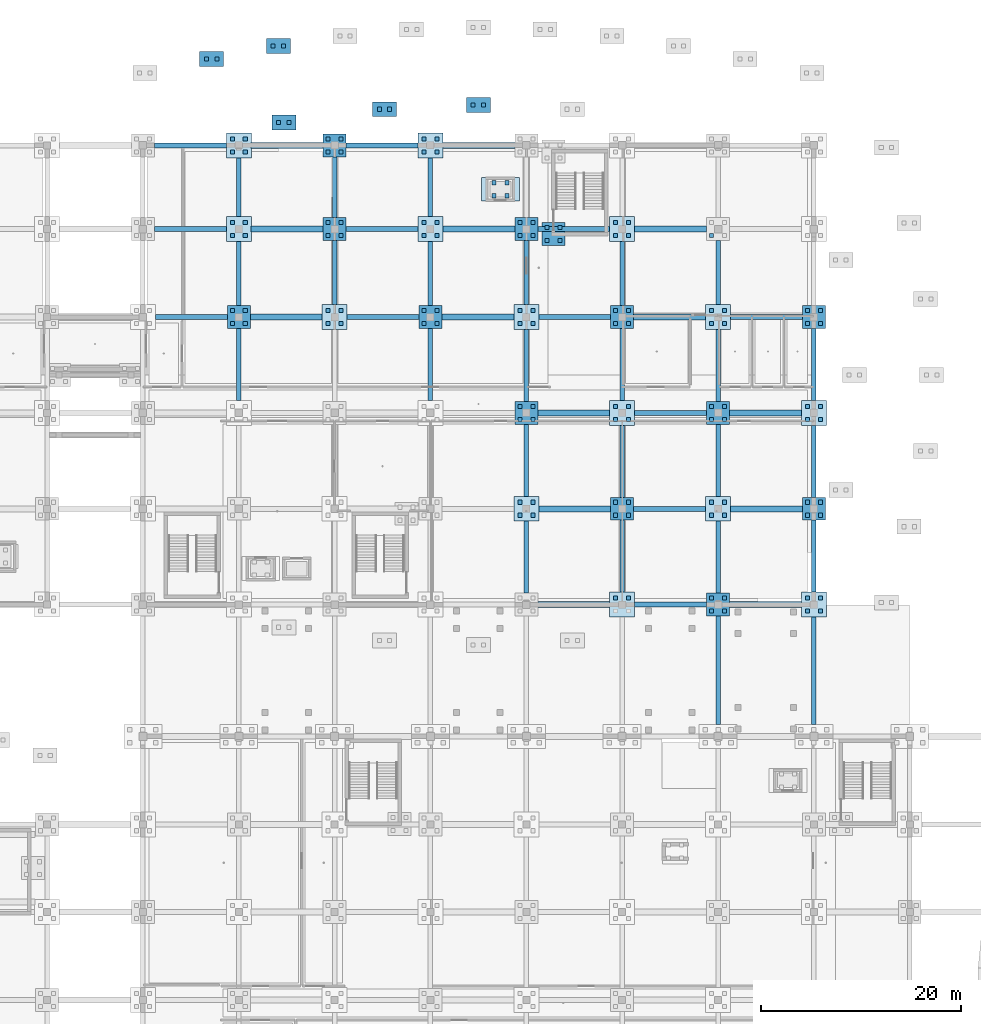
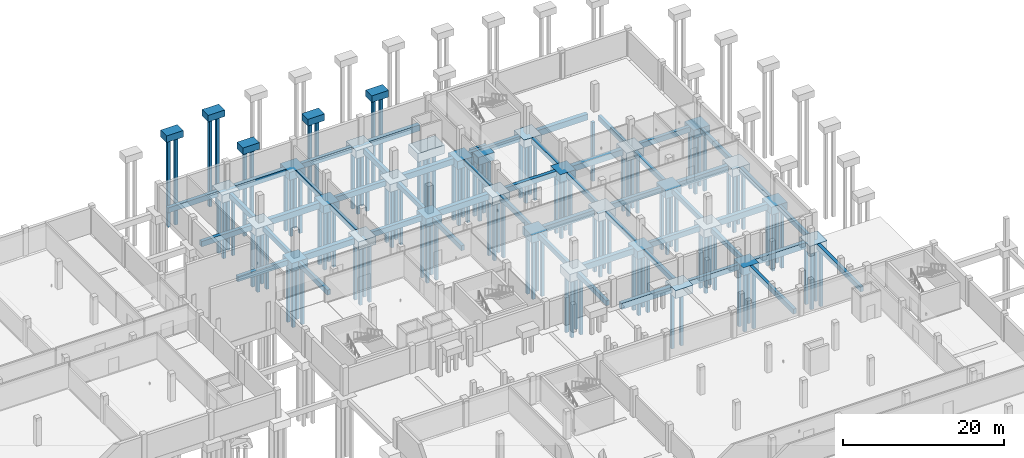
# One storey, part 7 of 31: 121 piles, 84 footings.
"""IFC4 building model written with IfcOpenShell, lengths in metres."""

from ifc_helpers import new_model, si_unit, direction, frame, origin, origin_2d, place, context, subcontext, project, spatial, rectangle, extrude, material, layer, layer_set, material_profile, profile_set, type_object, element, save


model = new_model("IFC4")

# Units and contexts
model_context = context("Model", 3, precision=1e-05, world=origin(), true_north=direction((0.0, 1.0)))
body_context = subcontext(model_context, "Body", "Model", "MODEL_VIEW")
ifc_project = project(units=[si_unit("LENGTHUNIT", "METRE"), si_unit("AREAUNIT", "SQUARE_METRE"), si_unit("VOLUMEUNIT", "CUBIC_METRE"), si_unit("PLANEANGLEUNIT", "RADIAN"), si_unit("MASSUNIT", "GRAM", prefix="KILO")], contexts=[model_context])

# Site, building, storey
site_placement = place(None, origin())
site = spatial("IfcSite", under=ifc_project, at=site_placement, CompositionType="ELEMENT")
building_placement = place(site_placement, origin())
building = spatial("IfcBuilding", under=site, at=building_placement, Name="Chalmorin Arch Market", CompositionType="ELEMENT")
storey_placement = place(building_placement, frame((0.0, 0.0, -4.199951171875)))
storey = spatial("IfcBuildingStorey", under=building, at=storey_placement, Name="B1", CompositionType="ELEMENT", Elevation=-4.199951171875)

# Piles
ifc_material_1 = material(Name="Precast concrete C50/60", Category="concrete")
ifc_material_profile = material_profile(ifc_material_1, rectangle(XDim=0.406005859375, YDim=0.406005859375, at=origin_2d()), Name="PPC406")
ifc_profile_set = profile_set([ifc_material_profile], Name="Precast concrete C50/60")
pile_type = type_object("IfcPileType", Name="DrivenSquarePile-406", PredefinedType="DRIVEN", material=ifc_profile_set)
for number, where, z_axis, x_axis, name in (
    (1, (56.949951171875, 100.14990234375, -1.10009765625), (0.0, 0.0, -1.0), (1.0, 0.0, 0.0), "P-406-341"),
    (2, (58.25, 100.14990234375, -1.10009765625), (0.0, 0.0, -1.0), (1.0, 0.0, 0.0), "P-406-342"),
    (3, (56.949951171875, 101.449951171875, -1.10009765625), (0.0, 0.0, -1.0), (1.0, 0.0, 0.0), "P-406-343"),
    (4, (58.25, 101.449951171875, -1.10009765625), (0.0, 0.0, -1.0), (1.0, 0.0, 0.0), "P-406-344"),
    (5, (56.949951171875, 108.949951171875, -1.10009765625), (0.0, 0.0, -1.0), (1.0, 0.0, 0.0), "P-406-345"),
    (6, (58.25, 108.949951171875, -1.10009765625), (0.0, 0.0, -1.0), (1.0, 0.0, 0.0), "P-406-346"),
    (7, (56.949951171875, 110.25, -1.10009765625), (0.0, 0.0, -1.0), (1.0, 0.0, 0.0), "P-406-347"),
    (8, (58.25, 110.25, -1.10009765625), (0.0, 0.0, -1.0), (1.0, 0.0, 0.0), "P-406-348"),
    (9, (56.949951171875, 117.35009765625, -1.10009765625), (0.0, 0.0, -1.0), (1.0, 0.0, 0.0), "P-406-349"),
    (10, (58.25, 117.35009765625, -1.10009765625), (0.0, 0.0, -1.0), (1.0, 0.0, 0.0), "P-406-350"),
    (11, (56.949951171875, 118.64990234375, -1.10009765625), (0.0, 0.0, -1.0), (1.0, 0.0, 0.0), "P-406-351"),
    (12, (58.25, 118.64990234375, -1.10009765625), (0.0, 0.0, -1.0), (1.0, 0.0, 0.0), "P-406-352"),
    (13, (66.550048828125, 100.14990234375, -1.10009765625), (0.0, 0.0, -1.0), (1.0, 0.0, 0.0), "P-406-397"),
    (14, (67.85009765625, 100.14990234375, -1.10009765625), (0.0, 0.0, -1.0), (1.0, 0.0, 0.0), "P-406-398"),
    (15, (66.550048828125, 101.449951171875, -1.10009765625), (0.0, 0.0, -1.0), (1.0, 0.0, 0.0), "P-406-399"),
    (16, (67.85009765625, 101.449951171875, -1.10009765625), (0.0, 0.0, -1.0), (1.0, 0.0, 0.0), "P-406-400"),
    (17, (66.550048828125, 108.949951171875, -1.10009765625), (0.0, 0.0, -1.0), (1.0, 0.0, 0.0), "P-406-401"),
    (18, (67.85009765625, 108.949951171875, -1.10009765625), (0.0, 0.0, -1.0), (1.0, 0.0, 0.0), "P-406-402"),
    (19, (66.550048828125, 110.25, -1.10009765625), (0.0, 0.0, -1.0), (1.0, 0.0, 0.0), "P-406-403"),
    (20, (67.85009765625, 110.25, -1.10009765625), (0.0, 0.0, -1.0), (1.0, 0.0, 0.0), "P-406-404"),
    (21, (66.550048828125, 117.35009765625, -1.10009765625), (0.0, 0.0, -1.0), (1.0, 0.0, 0.0), "P-406-405"),
    (22, (67.85009765625, 117.35009765625, -1.10009765625), (0.0, 0.0, -1.0), (1.0, 0.0, 0.0), "P-406-406"),
    (23, (66.550048828125, 118.64990234375, -1.10009765625), (0.0, 0.0, -1.0), (1.0, 0.0, 0.0), "P-406-407"),
    (24, (67.85009765625, 118.64990234375, -1.10009765625), (0.0, 0.0, -1.0), (1.0, 0.0, 0.0), "P-406-408"),
    (25, (76.14990234375, 100.14990234375, -1.10009765625), (0.0, 0.0, -1.0), (1.0, 0.0, 0.0), "P-406-453"),
    (26, (77.449951171875, 100.14990234375, -1.10009765625), (0.0, 0.0, -1.0), (1.0, 0.0, 0.0), "P-406-454"),
    (27, (76.14990234375, 101.449951171875, -1.10009765625), (0.0, 0.0, -1.0), (1.0, 0.0, 0.0), "P-406-455"),
    (28, (77.449951171875, 101.449951171875, -1.10009765625), (0.0, 0.0, -1.0), (1.0, 0.0, 0.0), "P-406-456"),
    (29, (76.14990234375, 108.949951171875, -1.10009765625), (0.0, 0.0, -1.0), (1.0, 0.0, 0.0), "P-406-457"),
    (30, (77.449951171875, 108.949951171875, -1.10009765625), (0.0, 0.0, -1.0), (1.0, 0.0, 0.0), "P-406-458"),
    (31, (76.14990234375, 110.25, -1.10009765625), (0.0, 0.0, -1.0), (1.0, 0.0, 0.0), "P-406-459"),
    (32, (77.449951171875, 110.25, -1.10009765625), (0.0, 0.0, -1.0), (1.0, 0.0, 0.0), "P-406-460"),
    (33, (76.14990234375, 117.35009765625, -1.10009765625), (0.0, 0.0, -1.0), (1.0, 0.0, 0.0), "P-406-461"),
    (34, (77.449951171875, 117.35009765625, -1.10009765625), (0.0, 0.0, -1.0), (1.0, 0.0, 0.0), "P-406-462"),
    (35, (76.14990234375, 118.64990234375, -1.10009765625), (0.0, 0.0, -1.0), (1.0, 0.0, 0.0), "P-406-463"),
    (36, (77.449951171875, 118.64990234375, -1.10009765625), (0.0, 0.0, -1.0), (1.0, 0.0, 0.0), "P-406-464"),
    (37, (85.75, 80.949951171875, -1.10009765625), (0.0, 0.0, -1.0), (1.0, 0.0, 0.0), "P-406-501"),
    (38, (87.050048828125, 80.949951171875, -1.10009765625), (0.0, 0.0, -1.0), (1.0, 0.0, 0.0), "P-406-502"),
    (39, (85.75, 82.25, -1.10009765625), (0.0, 0.0, -1.0), (1.0, 0.0, 0.0), "P-406-503"),
    (40, (87.050048828125, 82.25, -1.10009765625), (0.0, 0.0, -1.0), (1.0, 0.0, 0.0), "P-406-504"),
    (41, (85.75, 90.550048828125, -1.10009765625), (0.0, 0.0, -1.0), (1.0, 0.0, 0.0), "P-406-505"),
    (42, (87.050048828125, 90.550048828125, -1.10009765625), (0.0, 0.0, -1.0), (1.0, 0.0, 0.0), "P-406-506"),
    (43, (85.75, 91.85009765625, -1.10009765625), (0.0, 0.0, -1.0), (1.0, 0.0, 0.0), "P-406-507"),
    (44, (87.050048828125, 91.85009765625, -1.10009765625), (0.0, 0.0, -1.0), (1.0, 0.0, 0.0), "P-406-508"),
    (45, (85.75, 100.14990234375, -1.10009765625), (0.0, 0.0, -1.0), (1.0, 0.0, 0.0), "P-406-509"),
    (46, (87.050048828125, 100.14990234375, -1.10009765625), (0.0, 0.0, -1.0), (1.0, 0.0, 0.0), "P-406-510"),
    (47, (85.75, 101.449951171875, -1.10009765625), (0.0, 0.0, -1.0), (1.0, 0.0, 0.0), "P-406-511"),
    (48, (87.050048828125, 101.449951171875, -1.10009765625), (0.0, 0.0, -1.0), (1.0, 0.0, 0.0), "P-406-512"),
    (49, (85.75, 108.949951171875, -1.10009765625), (0.0, 0.0, -1.0), (1.0, 0.0, 0.0), "P-406-513"),
    (50, (87.050048828125, 108.949951171875, -1.10009765625), (0.0, 0.0, -1.0), (1.0, 0.0, 0.0), "P-406-514"),
    (51, (85.75, 110.25, -1.10009765625), (0.0, 0.0, -1.0), (1.0, 0.0, 0.0), "P-406-515"),
    (52, (87.050048828125, 110.25, -1.10009765625), (0.0, 0.0, -1.0), (1.0, 0.0, 0.0), "P-406-516"),
    (53, (95.35009765625, 72.64990234375, -1.10009765625), (0.0, 0.0, -1.0), (1.0, 0.0, 0.0), "P-406-555"),
    (54, (96.64990234375, 72.64990234375, -1.10009765625), (0.0, 0.0, -1.0), (1.0, 0.0, 0.0), "P-406-556"),
    (55, (95.35009765625, 80.949951171875, -1.10009765625), (0.0, 0.0, -1.0), (1.0, 0.0, 0.0), "P-406-557"),
    (56, (96.64990234375, 80.949951171875, -1.10009765625), (0.0, 0.0, -1.0), (1.0, 0.0, 0.0), "P-406-558"),
    (57, (95.35009765625, 82.25, -1.10009765625), (0.0, 0.0, -1.0), (1.0, 0.0, 0.0), "P-406-559"),
    (58, (96.64990234375, 82.25, -1.10009765625), (0.0, 0.0, -1.0), (1.0, 0.0, 0.0), "P-406-560"),
    (59, (95.35009765625, 90.550048828125, -1.10009765625), (0.0, 0.0, -1.0), (1.0, 0.0, 0.0), "P-406-561"),
    (60, (96.64990234375, 90.550048828125, -1.10009765625), (0.0, 0.0, -1.0), (1.0, 0.0, 0.0), "P-406-562"),
    (61, (95.35009765625, 91.85009765625, -1.10009765625), (0.0, 0.0, -1.0), (1.0, 0.0, 0.0), "P-406-563"),
    (62, (96.64990234375, 91.85009765625, -1.10009765625), (0.0, 0.0, -1.0), (1.0, 0.0, 0.0), "P-406-564"),
    (63, (95.35009765625, 100.14990234375, -1.10009765625), (0.0, 0.0, -1.0), (1.0, 0.0, 0.0), "P-406-565"),
    (64, (96.64990234375, 100.14990234375, -1.10009765625), (0.0, 0.0, -1.0), (1.0, 0.0, 0.0), "P-406-566"),
    (65, (95.35009765625, 101.449951171875, -1.10009765625), (0.0, 0.0, -1.0), (1.0, 0.0, 0.0), "P-406-567"),
    (66, (96.64990234375, 101.449951171875, -1.10009765625), (0.0, 0.0, -1.0), (1.0, 0.0, 0.0), "P-406-568"),
    (67, (95.35009765625, 108.949951171875, -1.10009765625), (0.0, 0.0, -1.0), (1.0, 0.0, 0.0), "P-406-569"),
    (68, (96.64990234375, 108.949951171875, -1.10009765625), (0.0, 0.0, -1.0), (1.0, 0.0, 0.0), "P-406-570"),
    (69, (95.35009765625, 110.25, -1.10009765625), (0.0, 0.0, -1.0), (1.0, 0.0, 0.0), "P-406-571"),
    (70, (96.64990234375, 110.25, -1.10009765625), (0.0, 0.0, -1.0), (1.0, 0.0, 0.0), "P-406-572"),
    (71, (104.949951171875, 71.35009765625, -1.10009765625), (0.0, 0.0, -1.0), (1.0, 0.0, 0.0), "P-406-609"),
    (72, (106.25, 71.35009765625, -1.10009765625), (0.0, 0.0, -1.0), (1.0, 0.0, 0.0), "P-406-610"),
    (73, (104.949951171875, 72.64990234375, -1.10009765625), (0.0, 0.0, -1.0), (1.0, 0.0, 0.0), "P-406-611"),
    (74, (106.25, 72.64990234375, -1.10009765625), (0.0, 0.0, -1.0), (1.0, 0.0, 0.0), "P-406-612"),
    (75, (104.949951171875, 80.949951171875, -1.10009765625), (0.0, 0.0, -1.0), (1.0, 0.0, 0.0), "P-406-613"),
    (76, (106.25, 80.949951171875, -1.10009765625), (0.0, 0.0, -1.0), (1.0, 0.0, 0.0), "P-406-614"),
    (77, (104.949951171875, 82.25, -1.10009765625), (0.0, 0.0, -1.0), (1.0, 0.0, 0.0), "P-406-615"),
    (78, (106.25, 82.25, -1.10009765625), (0.0, 0.0, -1.0), (1.0, 0.0, 0.0), "P-406-616"),
    (79, (104.949951171875, 90.550048828125, -1.10009765625), (0.0, 0.0, -1.0), (1.0, 0.0, 0.0), "P-406-617"),
    (80, (106.25, 90.550048828125, -1.10009765625), (0.0, 0.0, -1.0), (1.0, 0.0, 0.0), "P-406-618"),
    (81, (104.949951171875, 91.85009765625, -1.10009765625), (0.0, 0.0, -1.0), (1.0, 0.0, 0.0), "P-406-619"),
    (82, (106.25, 91.85009765625, -1.10009765625), (0.0, 0.0, -1.0), (1.0, 0.0, 0.0), "P-406-620"),
    (83, (104.949951171875, 100.14990234375, -1.10009765625), (0.0, 0.0, -1.0), (1.0, 0.0, 0.0), "P-406-621"),
    (84, (106.25, 100.14990234375, -1.10009765625), (0.0, 0.0, -1.0), (1.0, 0.0, 0.0), "P-406-622"),
    (85, (104.949951171875, 101.449951171875, -1.10009765625), (0.0, 0.0, -1.0), (1.0, 0.0, 0.0), "P-406-623"),
    (86, (106.25, 101.449951171875, -1.10009765625), (0.0, 0.0, -1.0), (1.0, 0.0, 0.0), "P-406-624"),
    (87, (104.949951171875, 108.949951171875, -1.10009765625), (0.0, 0.0, -1.0), (1.0, 0.0, 0.0), "P-406-625"),
    (88, (114.550048828125, 71.35009765625, -1.10009765625), (0.0, 0.0, -1.0), (1.0, 0.0, 0.0), "P-406-665"),
    (89, (115.85009765625, 71.35009765625, -1.10009765625), (0.0, 0.0, -1.0), (1.0, 0.0, 0.0), "P-406-666"),
    (90, (114.550048828125, 72.64990234375, -1.10009765625), (0.0, 0.0, -1.0), (1.0, 0.0, 0.0), "P-406-667"),
    (91, (115.85009765625, 72.64990234375, -1.10009765625), (0.0, 0.0, -1.0), (1.0, 0.0, 0.0), "P-406-668"),
    (92, (114.550048828125, 80.949951171875, -1.10009765625), (0.0, 0.0, -1.0), (1.0, 0.0, 0.0), "P-406-669"),
    (93, (115.85009765625, 80.949951171875, -1.10009765625), (0.0, 0.0, -1.0), (1.0, 0.0, 0.0), "P-406-670"),
    (94, (114.550048828125, 82.25, -1.10009765625), (0.0, 0.0, -1.0), (1.0, 0.0, 0.0), "P-406-671"),
    (95, (115.85009765625, 82.25, -1.10009765625), (0.0, 0.0, -1.0), (1.0, 0.0, 0.0), "P-406-672"),
    (96, (114.550048828125, 90.550048828125, -1.10009765625), (0.0, 0.0, -1.0), (1.0, 0.0, 0.0), "P-406-673"),
    (97, (115.85009765625, 90.550048828125, -1.10009765625), (0.0, 0.0, -1.0), (1.0, 0.0, 0.0), "P-406-674"),
    (98, (114.550048828125, 91.85009765625, -1.10009765625), (0.0, 0.0, -1.0), (1.0, 0.0, 0.0), "P-406-675"),
    (99, (115.85009765625, 91.85009765625, -1.10009765625), (0.0, 0.0, -1.0), (1.0, 0.0, 0.0), "P-406-676"),
    (100, (114.550048828125, 100.14990234375, -1.10009765625), (0.0, 0.0, -1.0), (1.0, 0.0, 0.0), "P-406-677"),
    (101, (115.85009765625, 100.14990234375, -1.10009765625), (0.0, 0.0, -1.0), (1.0, 0.0, 0.0), "P-406-678"),
    (102, (114.550048828125, 101.449951171875, -1.10009765625), (0.0, 0.0, -1.0), (1.0, 0.0, 0.0), "P-406-679"),
    (103, (115.85009765625, 101.449951171875, -1.10009765625), (0.0, 0.0, -1.0), (1.0, 0.0, 0.0), "P-406-680"),
):
    element("IfcPile", number, at=place(storey_placement, frame(where, z_axis=z_axis, x_axis=x_axis)), inside=storey, type_object=pile_type, Name=name, PredefinedType="DRIVEN", context=body_context, shape_type="SweptSolid", body=[
        extrude(rectangle(XDim=0.406005859375, YDim=0.406005859375, at=origin_2d()), origin(), (0.0, 0.0, 1.0), 8.89990234375),
    ])
for number, where, z_axis, x_axis, name in (
    (104, (61.592041015625, 120.26904296875, 2.97998046875), (0.0, 0.0, -1.0), (1.0, 0.0, 0.0), "P-406-803"),
    (105, (62.632080078125, 120.26904296875, 2.97998046875), (0.0, 0.0, -1.0), (1.0, 0.0, 0.0), "P-406-804"),
    (106, (71.672119140625, 121.612060546875, 2.97998046875), (0.0, 0.0, -1.0), (1.0, 0.0, 0.0), "P-406-807"),
    (107, (72.7119140625, 121.612060546875, 2.97998046875), (0.0, 0.0, -1.0), (1.0, 0.0, 0.0), "P-406-808"),
    (108, (81.080078125, 122.050048828125, 2.97998046875), (0.0, 0.0, -1.0), (1.0, 0.0, 0.0), "P-406-811"),
    (109, (82.1201171875, 122.050048828125, 2.97998046875), (0.0, 0.0, -1.0), (1.0, 0.0, 0.0), "P-406-812"),
):
    element("IfcPile", number, at=place(storey_placement, frame(where, z_axis=z_axis, x_axis=x_axis)), inside=storey, type_object=pile_type, Name=name, PredefinedType="DRIVEN", context=body_context, shape_type="SweptSolid", body=[
        extrude(rectangle(XDim=0.406005859375, YDim=0.406005859375, at=origin_2d()), origin(), (0.0, 0.0, 1.0), 12.97998046875),
    ])
for number, where, z_axis, x_axis, name in (
    (110, (54.360107421875, 126.654052734375, 3.47998046875), (0.0, 0.0, -1.0), (1.0, 0.0, 0.0), "P-406-845"),
    (111, (55.39990234375, 126.654052734375, 3.47998046875), (0.0, 0.0, -1.0), (1.0, 0.0, 0.0), "P-406-846"),
    (112, (61.0400390625, 127.925048828125, 3.47998046875), (0.0, 0.0, -1.0), (1.0, 0.0, 0.0), "P-406-847"),
    (113, (62.080078125, 127.925048828125, 3.47998046875), (0.0, 0.0, -1.0), (1.0, 0.0, 0.0), "P-406-848"),
):
    element("IfcPile", number, at=place(storey_placement, frame(where, z_axis=z_axis, x_axis=x_axis)), inside=storey, type_object=pile_type, Name=name, PredefinedType="DRIVEN", context=body_context, shape_type="SweptSolid", body=[
        extrude(rectangle(XDim=0.406005859375, YDim=0.406005859375, at=origin_2d()), origin(), (0.0, 0.0, 1.0), 13.47998046875),
    ])
for number, where, z_axis, x_axis, name in (
    (114, (88.449951171875, 108.449951171875, -1.10009765625), (0.0, 0.0, -1.0), (1.0, 0.0, 0.0), "P-406-941"),
    (115, (89.75, 108.449951171875, -1.10009765625), (0.0, 0.0, -1.0), (1.0, 0.0, 0.0), "P-406-942"),
    (116, (88.449951171875, 109.75, -1.10009765625), (0.0, 0.0, -1.0), (1.0, 0.0, 0.0), "P-406-943"),
    (117, (89.75, 109.75, -1.10009765625), (0.0, 0.0, -1.0), (1.0, 0.0, 0.0), "P-406-944"),
):
    element("IfcPile", number, at=place(storey_placement, frame(where, z_axis=z_axis, x_axis=x_axis)), inside=storey, type_object=pile_type, Name=name, PredefinedType="DRIVEN", context=body_context, shape_type="SweptSolid", body=[
        extrude(rectangle(XDim=0.406005859375, YDim=0.406005859375, at=origin_2d()), origin(), (0.0, 0.0, 1.0), 8.89990234375),
    ])
for number, where, z_axis, x_axis, name in (
    (118, (83.14990234375, 112.949951171875, -1.199951171875), (0.0, 0.0, -1.0), (1.0, 0.0, 0.0), "P-406-977"),
    (119, (84.449951171875, 112.949951171875, -1.199951171875), (0.0, 0.0, -1.0), (1.0, 0.0, 0.0), "P-406-978"),
    (120, (83.14990234375, 114.25, -1.199951171875), (0.0, 0.0, -1.0), (1.0, 0.0, 0.0), "P-406-979"),
    (121, (84.449951171875, 114.25, -1.199951171875), (0.0, 0.0, -1.0), (1.0, 0.0, 0.0), "P-406-980"),
):
    element("IfcPile", number, at=place(storey_placement, frame(where, z_axis=z_axis, x_axis=x_axis)), inside=storey, type_object=pile_type, Name=name, PredefinedType="DRIVEN", context=body_context, shape_type="SweptSolid", body=[
        extrude(rectangle(XDim=0.406005859375, YDim=0.406005859375, at=origin_2d()), origin(), (0.0, 0.0, 1.0), 8.800048828125),
    ])

# Footings
ifc_material_2 = material(Name="Concrete C40/50", Category="concrete")
ifc_layer_1 = layer(ifc_material_2, 0.75)
ifc_layer_set_1 = layer_set([ifc_layer_1], Name="Concrete C40/50")
footing_type_1 = type_object("IfcFootingType", Name="FoundationTieBeam-450x750-L10750", PredefinedType="FOOTING_BEAM", material=ifc_layer_set_1)
footing_1_placement = place(storey_placement, frame((115.199951171875, 65.375, -0.75), z_axis=(0.0, 0.0, 1.0), x_axis=(0.0, 1.0, 0.0)))
element("IfcFooting", 122, at=footing_1_placement, inside=storey, type_object=footing_type_1, Name="FTB-03-331", PredefinedType="FOOTING_BEAM", context=body_context, shape_type="SweptSolid", body=[
    extrude(rectangle(XDim=10.75, YDim=0.449951171875, at=origin_2d()), origin(), (0.0, 0.0, 1.0), 0.75),
])
ifc_layer_2 = layer(ifc_material_2, 0.75)
ifc_layer_set_2 = layer_set([ifc_layer_2], Name="Concrete C40/50")
footing_type_2 = type_object("IfcFootingType", Name="FoundationTieBeam-450x750-L10850", PredefinedType="FOOTING_BEAM", material=ifc_layer_set_2)
footing_2_placement = place(storey_placement, frame((105.60009765625, 65.425048828125, -0.75), z_axis=(0.0, 0.0, 1.0), x_axis=(0.0, 1.0, 0.0)))
element("IfcFooting", 123, at=footing_2_placement, inside=storey, type_object=footing_type_2, Name="FTB-03-318", PredefinedType="FOOTING_BEAM", context=body_context, shape_type="SweptSolid", body=[
    extrude(rectangle(XDim=10.85009765625, YDim=0.449951171875, at=origin_2d()), origin(), (0.0, 0.0, 1.0), 0.75),
])
ifc_layer_3 = layer(ifc_material_2, 0.75)
ifc_layer_set_3 = layer_set([ifc_layer_3], Name="Concrete C40/50")
footing_type_3 = type_object("IfcFootingType", Name="FoundationTieBeam-450x750-L5900", PredefinedType="FOOTING_BEAM", material=ifc_layer_set_3)
for number, where, z_axis, x_axis, name in (
    (124, (57.60009765625, 113.800048828125, -0.75), (0.0, 0.0, 1.0), (0.0, 1.0, 0.0), "FTB-03-258"),
    (125, (76.800048828125, 113.800048828125, -0.75), (0.0, 0.0, 1.0), (0.0, 1.0, 0.0), "FTB-03-284"),
):
    element("IfcFooting", number, at=place(storey_placement, frame(where, z_axis=z_axis, x_axis=x_axis)), inside=storey, type_object=footing_type_3, Name=name, PredefinedType="FOOTING_BEAM", context=body_context, shape_type="SweptSolid", body=[
        extrude(rectangle(XDim=5.89990234375, YDim=0.449951171875, at=origin_2d()), origin(), (0.0, 0.0, 1.0), 0.75),
    ])
ifc_layer_4 = layer(ifc_material_2, 0.75)
ifc_layer_set_4 = layer_set([ifc_layer_4], Name="Concrete C40/50")
footing_type_4 = type_object("IfcFootingType", Name="FoundationTieBeam-450x750-L6100", PredefinedType="FOOTING_BEAM", material=ifc_layer_set_4)
footing_3_placement = place(storey_placement, frame((67.199951171875, 113.800048828125, -0.75), z_axis=(0.0, 0.0, 1.0), x_axis=(0.0, 1.0, 0.0)))
element("IfcFooting", 126, at=footing_3_placement, inside=storey, type_object=footing_type_4, Name="FTB-03-271", PredefinedType="FOOTING_BEAM", context=body_context, shape_type="SweptSolid", body=[
    extrude(rectangle(XDim=6.10009765625, YDim=0.449951171875, at=origin_2d()), origin(), (0.0, 0.0, 1.0), 0.75),
])
ifc_layer_5 = layer(ifc_material_2, 0.75)
ifc_layer_set_5 = layer_set([ifc_layer_5], Name="Concrete C40/50")
footing_type_5 = type_object("IfcFootingType", Name="FoundationTieBeam-450x750-L6400", PredefinedType="FOOTING_BEAM", material=ifc_layer_set_5)
for number, where, z_axis, x_axis, name in (
    (127, (57.60009765625, 105.14990234375, -0.75), (0.0, 0.0, 1.0), (0.0, 1.0, 0.0), "FTB-03-257"),
    (128, (67.199951171875, 105.25, -0.75), (0.0, 0.0, 1.0), (0.0, 1.0, 0.0), "FTB-03-270"),
    (129, (76.800048828125, 105.14990234375, -0.75), (0.0, 0.0, 1.0), (0.0, 1.0, 0.0), "FTB-03-283"),
    (130, (86.39990234375, 105.25, -0.75), (0.0, 0.0, 1.0), (0.0, 1.0, 0.0), "FTB-03-296"),
    (131, (96.0, 105.14990234375, -0.75), (0.0, 0.0, 1.0), (0.0, 1.0, 0.0), "FTB-03-309"),
    (132, (105.60009765625, 105.25, -0.75), (0.0, 0.0, 1.0), (0.0, 1.0, 0.0), "FTB-03-322"),
):
    element("IfcFooting", number, at=place(storey_placement, frame(where, z_axis=z_axis, x_axis=x_axis)), inside=storey, type_object=footing_type_5, Name=name, PredefinedType="FOOTING_BEAM", context=body_context, shape_type="SweptSolid", body=[
        extrude(rectangle(XDim=6.39990234375, YDim=0.449951171875, at=origin_2d()), origin(), (0.0, 0.0, 1.0), 0.75),
    ])
ifc_layer_6 = layer(ifc_material_2, 0.75)
ifc_layer_set_6 = layer_set([ifc_layer_6], Name="Concrete C40/50")
footing_type_6 = type_object("IfcFootingType", Name="FoundationTieBeam-450x750-L7200", PredefinedType="FOOTING_BEAM", material=ifc_layer_set_6)
for number, where, z_axis, x_axis, name in (
    (133, (57.60009765625, 96.050048828125, -0.75), (0.0, 0.0, 1.0), (0.0, 1.0, 0.0), "FTB-03-256"),
    (134, (76.800048828125, 96.050048828125, -0.75), (0.0, 0.0, 1.0), (0.0, 1.0, 0.0), "FTB-03-282"),
    (135, (86.39990234375, 76.75, -0.75), (0.0, 0.0, 1.0), (0.0, 1.0, 0.0), "FTB-03-293"),
    (136, (86.39990234375, 86.449951171875, -0.75), (0.0, 0.0, 1.0), (0.0, 1.0, 0.0), "FTB-03-294"),
    (137, (86.39990234375, 95.949951171875, -0.75), (0.0, 0.0, 1.0), (0.0, 1.0, 0.0), "FTB-03-295"),
    (138, (96.0, 76.85009765625, -0.75), (0.0, 0.0, 1.0), (0.0, 1.0, 0.0), "FTB-03-306"),
    (139, (96.0, 86.35009765625, -0.75), (0.0, 0.0, 1.0), (0.0, 1.0, 0.0), "FTB-03-307"),
    (140, (96.0, 96.050048828125, -0.75), (0.0, 0.0, 1.0), (0.0, 1.0, 0.0), "FTB-03-308"),
    (141, (105.60009765625, 76.75, -0.75), (0.0, 0.0, 1.0), (0.0, 1.0, 0.0), "FTB-03-319"),
    (142, (105.60009765625, 86.449951171875, -0.75), (0.0, 0.0, 1.0), (0.0, 1.0, 0.0), "FTB-03-320"),
    (143, (105.60009765625, 95.949951171875, -0.75), (0.0, 0.0, 1.0), (0.0, 1.0, 0.0), "FTB-03-321"),
    (144, (115.199951171875, 76.85009765625, -0.75), (0.0, 0.0, 1.0), (0.0, 1.0, 0.0), "FTB-03-332"),
    (145, (115.199951171875, 86.35009765625, -0.75), (0.0, 0.0, 1.0), (0.0, 1.0, 0.0), "FTB-03-333"),
    (146, (115.199951171875, 96.050048828125, -0.75), (0.0, 0.0, 1.0), (0.0, 1.0, 0.0), "FTB-03-334"),
):
    element("IfcFooting", number, at=place(storey_placement, frame(where, z_axis=z_axis, x_axis=x_axis)), inside=storey, type_object=footing_type_6, Name=name, PredefinedType="FOOTING_BEAM", context=body_context, shape_type="SweptSolid", body=[
        extrude(rectangle(XDim=7.199951171875, YDim=0.449951171875, at=origin_2d()), origin(), (0.0, 0.0, 1.0), 0.75),
    ])
ifc_layer_7 = layer(ifc_material_2, 0.800048828125)
ifc_layer_set_7 = layer_set([ifc_layer_7], Name="Concrete C40/50")
footing_type_7 = type_object("IfcFootingType", Name="FoundationTieBeam-500x800-L7200", PredefinedType="FOOTING_BEAM", material=ifc_layer_set_7)
for number, where, z_axis, x_axis, name in (
    (147, (100.85009765625, 72.0, -0.80029296875), (0.0, 0.0, 1.0), (1.0, 0.0, 0.0), "FTB-02-117"),
    (148, (100.75, 81.60009765625, -0.80029296875), (0.0, 0.0, 1.0), (1.0, 0.0, 0.0), "FTB-02-129"),
    (149, (100.85009765625, 91.199951171875, -0.80029296875), (0.0, 0.0, 1.0), (1.0, 0.0, 0.0), "FTB-02-141"),
    (150, (52.85009765625, 100.800048828125, -0.80029296875), (0.0, 0.0, 1.0), (1.0, 0.0, 0.0), "FTB-02-147"),
    (151, (72.050048828125, 100.800048828125, -0.80029296875), (0.0, 0.0, 1.0), (1.0, 0.0, 0.0), "FTB-02-149"),
    (152, (91.25, 100.800048828125, -0.80029296875), (0.0, 0.0, 1.0), (1.0, 0.0, 0.0), "FTB-02-151"),
    (153, (110.449951171875, 100.800048828125, -0.80029296875), (0.0, 0.0, 1.0), (1.0, 0.0, 0.0), "FTB-02-153"),
    (154, (52.75, 109.60009765625, -0.80029296875), (0.0, 0.0, 1.0), (1.0, 0.0, 0.0), "FTB-02-159"),
    (155, (71.949951171875, 109.60009765625, -0.80029296875), (0.0, 0.0, 1.0), (1.0, 0.0, 0.0), "FTB-02-161"),
    (156, (91.14990234375, 109.60009765625, -0.80029296875), (0.0, 0.0, 1.0), (1.0, 0.0, 0.0), "FTB-02-163"),
    (157, (52.75, 118.0, -0.80029296875), (0.0, 0.0, 1.0), (1.0, 0.0, 0.0), "FTB-02-171"),
    (158, (71.949951171875, 118.0, -0.80029296875), (0.0, 0.0, 1.0), (1.0, 0.0, 0.0), "FTB-02-173"),
):
    element("IfcFooting", number, at=place(storey_placement, frame(where, z_axis=z_axis, x_axis=x_axis)), inside=storey, type_object=footing_type_7, Name=name, PredefinedType="FOOTING_BEAM", context=body_context, shape_type="SweptSolid", body=[
        extrude(rectangle(XDim=7.199951171875, YDim=0.5, at=origin_2d()), origin(), (0.0, 0.0, 1.0), 0.800048828125),
    ])
ifc_layer_8 = layer(ifc_material_2, 0.89990234375)
ifc_layer_set_8 = layer_set([ifc_layer_8], Name="Concrete C40/50")
footing_type_8 = type_object("IfcFootingType", Name="FoundationTieBeam-600x900-L7200", PredefinedType="FOOTING_BEAM", material=ifc_layer_set_8)
for number, where, z_axis, x_axis, name in (
    (159, (91.14990234375, 72.0, -0.89990234375), (0.0, 0.0, 1.0), (1.0, 0.0, 0.0), "FTB-01-116"),
    (160, (110.35009765625, 72.0, -0.89990234375), (0.0, 0.0, 1.0), (1.0, 0.0, 0.0), "FTB-01-118"),
    (161, (91.25, 81.60009765625, -0.89990234375), (0.0, 0.0, 1.0), (1.0, 0.0, 0.0), "FTB-01-128"),
    (162, (110.449951171875, 81.60009765625, -0.89990234375), (0.0, 0.0, 1.0), (1.0, 0.0, 0.0), "FTB-01-130"),
    (163, (91.14990234375, 91.199951171875, -0.89990234375), (0.0, 0.0, 1.0), (1.0, 0.0, 0.0), "FTB-01-140"),
    (164, (110.35009765625, 91.199951171875, -0.89990234375), (0.0, 0.0, 1.0), (1.0, 0.0, 0.0), "FTB-01-142"),
    (165, (62.35009765625, 100.800048828125, -0.89990234375), (0.0, 0.0, 1.0), (1.0, 0.0, 0.0), "FTB-01-148"),
    (166, (81.550048828125, 100.800048828125, -0.89990234375), (0.0, 0.0, 1.0), (1.0, 0.0, 0.0), "FTB-01-150"),
    (167, (100.75, 100.800048828125, -0.89990234375), (0.0, 0.0, 1.0), (1.0, 0.0, 0.0), "FTB-01-152"),
    (168, (62.449951171875, 109.60009765625, -0.89990234375), (0.0, 0.0, 1.0), (1.0, 0.0, 0.0), "FTB-01-160"),
    (169, (81.64990234375, 109.60009765625, -0.89990234375), (0.0, 0.0, 1.0), (1.0, 0.0, 0.0), "FTB-01-162"),
    (170, (100.85009765625, 109.60009765625, -0.89990234375), (0.0, 0.0, 1.0), (1.0, 0.0, 0.0), "FTB-01-164"),
    (171, (62.449951171875, 118.0, -0.89990234375), (0.0, 0.0, 1.0), (1.0, 0.0, 0.0), "FTB-01-172"),
    (172, (81.64990234375, 118.0, -0.89990234375), (0.0, 0.0, 1.0), (1.0, 0.0, 0.0), "FTB-01-174"),
):
    element("IfcFooting", number, at=place(storey_placement, frame(where, z_axis=z_axis, x_axis=x_axis)), inside=storey, type_object=footing_type_8, Name=name, PredefinedType="FOOTING_BEAM", context=body_context, shape_type="SweptSolid", body=[
        extrude(rectangle(XDim=7.199951171875, YDim=0.60009765625, at=origin_2d()), origin(), (0.0, 0.0, 1.0), 0.89990234375),
    ])
ifc_layer_9 = layer(ifc_material_2, 1.199951171875)
ifc_layer_set_9 = layer_set([ifc_layer_9], Name="Concrete C40/50")
footing_type_9 = type_object("IfcFootingType", Name="MultiPileCap-2300x2300x1200", PredefinedType="PILE_CAP", material=ifc_layer_set_9)
for number, where, z_axis, x_axis, name in (
    (173, (57.60009765625, 100.800048828125, -1.2001953125), (0.0, 0.0, 1.0), (1.0, 0.0, 0.0), "PC-02-091"),
    (174, (67.199951171875, 109.60009765625, -1.2001953125), (0.0, 0.0, 1.0), (1.0, 0.0, 0.0), "PC-02-106"),
    (175, (67.199951171875, 118.0, -1.2001953125), (0.0, 0.0, 1.0), (1.0, 0.0, 0.0), "PC-02-107"),
    (176, (76.800048828125, 100.800048828125, -1.2001953125), (0.0, 0.0, 1.0), (1.0, 0.0, 0.0), "PC-02-119"),
    (177, (86.39990234375, 91.199951171875, -1.2001953125), (0.0, 0.0, 1.0), (1.0, 0.0, 0.0), "PC-02-132"),
    (178, (86.39990234375, 109.60009765625, -1.2001953125), (0.0, 0.0, 1.0), (1.0, 0.0, 0.0), "PC-02-134"),
    (179, (96.0, 81.60009765625, -1.2001953125), (0.0, 0.0, 1.0), (1.0, 0.0, 0.0), "PC-02-145"),
    (180, (96.0, 100.800048828125, -1.2001953125), (0.0, 0.0, 1.0), (1.0, 0.0, 0.0), "PC-02-147"),
    (181, (105.60009765625, 72.0, -1.2001953125), (0.0, 0.0, 1.0), (1.0, 0.0, 0.0), "PC-02-158"),
    (182, (105.60009765625, 91.199951171875, -1.2001953125), (0.0, 0.0, 1.0), (1.0, 0.0, 0.0), "PC-02-160"),
    (183, (115.199951171875, 81.60009765625, -1.2001953125), (0.0, 0.0, 1.0), (1.0, 0.0, 0.0), "PC-02-173"),
    (184, (115.199951171875, 100.800048828125, -1.2001953125), (0.0, 0.0, 1.0), (1.0, 0.0, 0.0), "PC-02-175"),
    (185, (89.10009765625, 109.10009765625, -1.2001953125), (0.0, 0.0, 1.0), (1.0, 0.0, 0.0), "PC-02-275"),
):
    element("IfcFooting", number, at=place(storey_placement, frame(where, z_axis=z_axis, x_axis=x_axis)), inside=storey, type_object=footing_type_9, Name=name, PredefinedType="PILE_CAP", context=body_context, shape_type="SweptSolid", body=[
        extrude(rectangle(XDim=2.300048828125, YDim=2.300048828125, at=origin_2d()), origin(), (0.0, 0.0, 1.0), 1.199951171875),
    ])
ifc_layer_10 = layer(ifc_material_2, 1.0)
ifc_layer_set_10 = layer_set([ifc_layer_10], Name="Concrete C40/50")
footing_type_10 = type_object("IfcFootingType", Name="MultiPileCap-2400x1500x1000", PredefinedType="PILE_CAP", material=ifc_layer_set_10)
for number, where, z_axis, x_axis, name in (
    (186, (62.112060546875, 120.26904296875, 2.8798828125), (0.0, 0.0, 1.0), (1.0, 0.0, 0.0), "PC-05-213"),
    (187, (72.19189453125, 121.612060546875, 2.8798828125), (0.0, 0.0, 1.0), (1.0, 0.0, 0.0), "PC-05-215"),
    (188, (81.60009765625, 122.050048828125, 2.8798828125), (0.0, 0.0, 1.0), (1.0, 0.0, 0.0), "PC-05-217"),
    (189, (54.8798828125, 126.654052734375, 3.3798828125), (0.0, 0.0, 1.0), (1.0, 0.0, 0.0), "PC-05-234"),
    (190, (61.56005859375, 127.925048828125, 3.3798828125), (0.0, 0.0, 1.0), (1.0, 0.0, 0.0), "PC-05-235"),
):
    element("IfcFooting", number, at=place(storey_placement, frame(where, z_axis=z_axis, x_axis=x_axis)), inside=storey, type_object=footing_type_10, Name=name, PredefinedType="PILE_CAP", context=body_context, shape_type="SweptSolid", body=[
        extrude(rectangle(XDim=2.39990234375, YDim=1.5, at=origin_2d()), origin(), (0.0, 0.0, 1.0), 1.0),
    ])
ifc_layer_11 = layer(ifc_material_2, 1.199951171875)
ifc_layer_set_11 = layer_set([ifc_layer_11], Name="Concrete C40/50")
footing_type_11 = type_object("IfcFootingType", Name="MultiPileCap-2500x2500x1200", PredefinedType="PILE_CAP", material=ifc_layer_set_11)
for number, where, z_axis, x_axis, name in (
    (191, (57.60009765625, 109.60009765625, -1.2001953125), (0.0, 0.0, 1.0), (1.0, 0.0, 0.0), "PC-01-092"),
    (192, (57.60009765625, 118.0, -1.2001953125), (0.0, 0.0, 1.0), (1.0, 0.0, 0.0), "PC-01-093"),
    (193, (67.199951171875, 100.800048828125, -1.2001953125), (0.0, 0.0, 1.0), (1.0, 0.0, 0.0), "PC-01-105"),
    (194, (76.800048828125, 109.60009765625, -1.2001953125), (0.0, 0.0, 1.0), (1.0, 0.0, 0.0), "PC-01-120"),
    (195, (76.800048828125, 118.0, -1.2001953125), (0.0, 0.0, 1.0), (1.0, 0.0, 0.0), "PC-01-121"),
    (196, (86.39990234375, 81.60009765625, -1.2001953125), (0.0, 0.0, 1.0), (1.0, 0.0, 0.0), "PC-01-131"),
    (197, (86.39990234375, 100.800048828125, -1.2001953125), (0.0, 0.0, 1.0), (1.0, 0.0, 0.0), "PC-01-133"),
    (198, (96.0, 72.0, -1.2001953125), (0.0, 0.0, 1.0), (1.0, 0.0, 0.0), "PC-01-144"),
    (199, (96.0, 91.199951171875, -1.2001953125), (0.0, 0.0, 1.0), (1.0, 0.0, 0.0), "PC-01-146"),
    (200, (96.0, 109.60009765625, -1.2001953125), (0.0, 0.0, 1.0), (1.0, 0.0, 0.0), "PC-01-148"),
    (201, (105.60009765625, 81.60009765625, -1.2001953125), (0.0, 0.0, 1.0), (1.0, 0.0, 0.0), "PC-01-159"),
    (202, (105.60009765625, 100.800048828125, -1.2001953125), (0.0, 0.0, 1.0), (1.0, 0.0, 0.0), "PC-01-161"),
    (203, (115.199951171875, 72.0, -1.2001953125), (0.0, 0.0, 1.0), (1.0, 0.0, 0.0), "PC-01-172"),
    (204, (115.199951171875, 91.199951171875, -1.2001953125), (0.0, 0.0, 1.0), (1.0, 0.0, 0.0), "PC-01-174"),
):
    element("IfcFooting", number, at=place(storey_placement, frame(where, z_axis=z_axis, x_axis=x_axis)), inside=storey, type_object=footing_type_11, Name=name, PredefinedType="PILE_CAP", context=body_context, shape_type="SweptSolid", body=[
        extrude(rectangle(XDim=2.5, YDim=2.5, at=origin_2d()), origin(), (0.0, 0.0, 1.0), 1.199951171875),
    ])
ifc_layer_12 = layer(ifc_material_2, 1.300048828125)
ifc_layer_set_12 = layer_set([ifc_layer_12], Name="Concrete C40/50")
footing_type_12 = type_object("IfcFootingType", Name="MultiPileCap-3800x2400x1300", PredefinedType="PILE_CAP", material=ifc_layer_set_12)
footing_4_placement = place(storey_placement, frame((83.800048828125, 113.60009765625, -1.30029296875), z_axis=(0.0, 0.0, 1.0), x_axis=(1.0, 0.0, 0.0)))
element("IfcFooting", 205, at=footing_4_placement, inside=storey, type_object=footing_type_12, Name="PC-06-284", PredefinedType="PILE_CAP", context=body_context, shape_type="SweptSolid", body=[
    extrude(rectangle(XDim=3.800048828125, YDim=2.39990234375, at=origin_2d()), origin(), (0.0, 0.0, 1.0), 1.300048828125),
])

save(model, "model.ifc")
